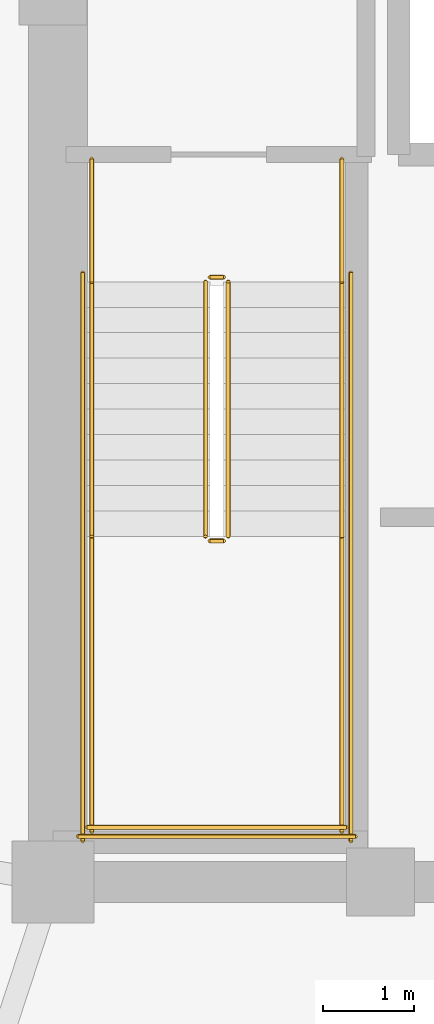
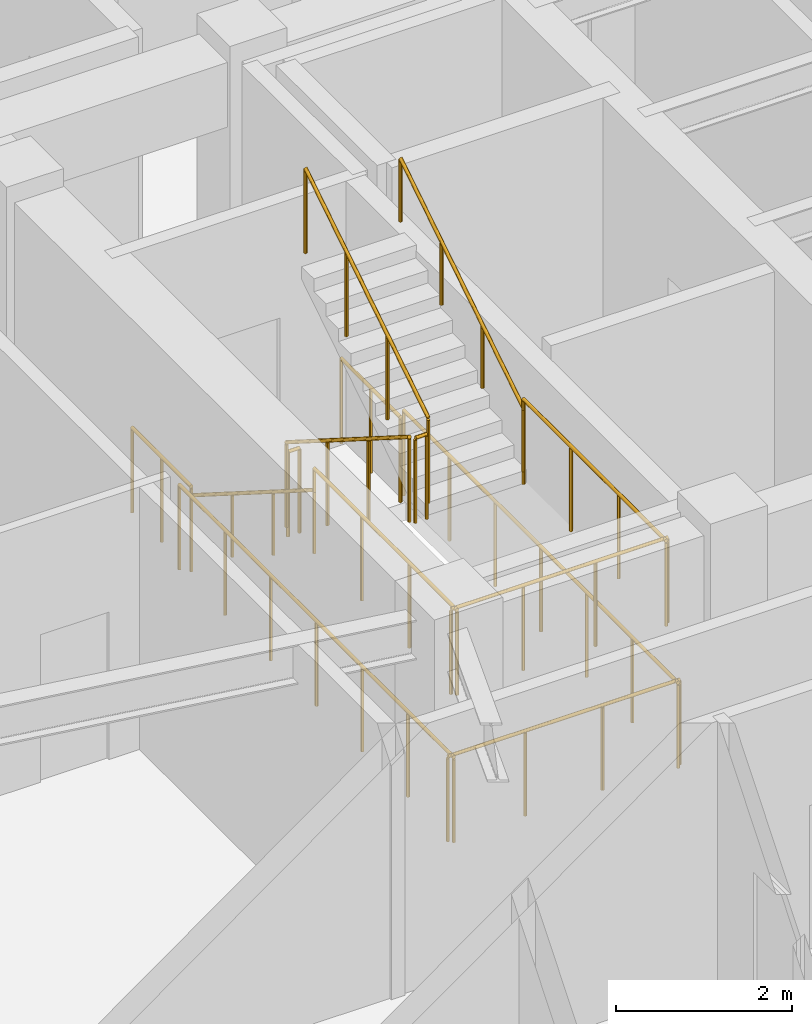
# One storey, part 10 of 11: 14 railings.
"""IFC4 building model written with IfcOpenShell, lengths in metres."""

from ifc_helpers import new_model, si_unit, direction, frame, origin, origin_2d, place, context, subcontext, project, spatial, circle, extrude, material, type_object, element, save


model = new_model("IFC4")

# Units and contexts
model_context = context("Model", 3, precision=1e-05, world=origin(), true_north=direction((0.0, 1.0)))
body_context = subcontext(model_context, "Body", "Model", "MODEL_VIEW")
ifc_project = project(units=[si_unit("LENGTHUNIT", "METRE"), si_unit("AREAUNIT", "SQUARE_METRE"), si_unit("VOLUMEUNIT", "CUBIC_METRE"), si_unit("PLANEANGLEUNIT", "RADIAN"), si_unit("MASSUNIT", "GRAM", prefix="KILO")], contexts=[model_context])

# Site, building, storey
site_placement = place(None, origin())
site = spatial("IfcSite", under=ifc_project, at=site_placement, CompositionType="ELEMENT")
building_placement = place(site_placement, origin())
building = spatial("IfcBuilding", under=site, at=building_placement, Name="Voryun Gate Residences", CompositionType="ELEMENT")
storey_placement = place(building_placement, frame((0.0, 0.0, 215.800048828125)))
storey = spatial("IfcBuildingStorey", under=building, at=storey_placement, Name="L53", CompositionType="ELEMENT", Elevation=215.800048828125)

# Railings
ifc_material_1 = material(Name="Painted steel", Category="steel")
railing_type_1 = type_object("IfcRailingType", Name="RAIL_STAIR_GUARD_1200", PredefinedType="GUARDRAIL", material=ifc_material_1)
railing_1_placement = place(storey_placement, frame((-17.52490234375, -0.800048828125, 0.17724609375)))
element("IfcRailing", 1, at=railing_1_placement, inside=storey, type_object=railing_type_1, Name="L53 ST-W1 stair guard 1", PredefinedType="GUARDRAIL", context=body_context, shape_type="SweptSolid", body=[
    extrude(circle(Radius=0.02392578125, at=origin_2d()), frame((0.0, 0.0, 1.17578125), z_axis=(0.0, -0.844908973607, 0.534910110503), x_axis=(1.0, 0.0, 0.0)), (0.0, 0.0, 1.0), 3.31396484375),
    extrude(circle(Radius=0.02099609375, at=origin_2d()), origin(), (0.0, 0.0, 1.0), 1.15185546875),
    extrude(circle(Radius=0.02099609375, at=origin_2d()), frame((0.0, -0.933349609375, 0.5908203125)), (0.0, 0.0, 1.0), 1.15185546875),
    extrude(circle(Radius=0.02099609375, at=origin_2d()), frame((0.0, -1.86669921875, 1.181884765625)), (0.0, 0.0, 1.0), 1.15185546875),
    extrude(circle(Radius=0.02099609375, at=origin_2d()), frame((0.0, -2.800048828125, 1.772705078125)), (0.0, 0.0, 1.0), 1.15185546875),
])
railing_2_placement = place(storey_placement, frame((-17.47509765625, -3.64990234375, 1.949951171875)))
element("IfcRailing", 2, at=railing_2_placement, inside=storey, type_object=railing_type_1, Name="L53 ST-W1 stair guard 2", PredefinedType="GUARDRAIL", context=body_context, shape_type="SweptSolid", body=[
    extrude(circle(Radius=0.02392578125, at=origin_2d()), frame((0.0, 0.0, 1.17578125), z_axis=(1.0, 0.0, 0.0), x_axis=(0.0, 1.0, 0.0)), (0.0, 0.0, 1.0), 0.150146484375),
    extrude(circle(Radius=0.02099609375, at=origin_2d()), origin(), (0.0, 0.0, 1.0), 1.15185546875),
    extrude(circle(Radius=0.02099609375, at=origin_2d()), frame((0.150146484375, 0.0, 0.0)), (0.0, 0.0, 1.0), 1.15185546875),
])
for number, where, name in (
    (3, (-18.77490234375, -3.60009765625, 1.949951171875), "L53 ST-W1 stair guard 3"),
    (4, (-16.02490234375, -3.60009765625, 1.949951171875), "L53 ST-W1 stair guard 4"),
):
    element("IfcRailing", number, at=place(storey_placement, frame(where)), inside=storey, type_object=railing_type_1, Name=name, PredefinedType="GUARDRAIL", context=body_context, shape_type="SweptSolid", body=[
        extrude(circle(Radius=0.02392578125, at=origin_2d()), frame((0.0, 0.0, 1.17578125), z_axis=(0.0, -1.0, 0.0), x_axis=(1.0, 0.0, 0.0)), (0.0, 0.0, 1.0), 3.25),
        extrude(circle(Radius=0.02099609375, at=origin_2d()), origin(), (0.0, 0.0, 1.0), 1.15185546875),
        extrude(circle(Radius=0.02099609375, at=origin_2d()), frame((0.0, -1.083251953125, 0.0)), (0.0, 0.0, 1.0), 1.15185546875),
        extrude(circle(Radius=0.02099609375, at=origin_2d()), frame((0.0, -2.166748046875, 0.0)), (0.0, 0.0, 1.0), 1.15185546875),
        extrude(circle(Radius=0.02099609375, at=origin_2d()), frame((0.0, -3.25, 0.0)), (0.0, 0.0, 1.0), 1.15185546875),
    ])
railing_3_placement = place(storey_placement, frame((-18.824951171875, -6.800048828125, 1.949951171875)))
element("IfcRailing", 5, at=railing_3_placement, inside=storey, type_object=railing_type_1, Name="L53 ST-W1 stair guard 5", PredefinedType="GUARDRAIL", context=body_context, shape_type="SweptSolid", body=[
    extrude(circle(Radius=0.02392578125, at=origin_2d()), frame((0.0, 0.0, 1.17578125), z_axis=(1.0, 0.0, 0.0), x_axis=(0.0, 1.0, 0.0)), (0.0, 0.0, 1.0), 2.849853515625),
    extrude(circle(Radius=0.02099609375, at=origin_2d()), origin(), (0.0, 0.0, 1.0), 1.15185546875),
    extrude(circle(Radius=0.02099609375, at=origin_2d()), frame((0.949951171875, 0.0, 0.0)), (0.0, 0.0, 1.0), 1.15185546875),
    extrude(circle(Radius=0.02099609375, at=origin_2d()), frame((1.89990234375, 0.0, 0.0)), (0.0, 0.0, 1.0), 1.15185546875),
    extrude(circle(Radius=0.02099609375, at=origin_2d()), frame((2.849853515625, 0.0, 0.0)), (0.0, 0.0, 1.0), 1.15185546875),
])
railing_4_placement = place(storey_placement, frame((-17.27490234375, -3.60009765625, 2.127197265625)))
element("IfcRailing", 6, at=railing_4_placement, inside=storey, type_object=railing_type_1, Name="L53 ST-W1 stair guard 6", PredefinedType="GUARDRAIL", context=body_context, shape_type="SweptSolid", body=[
    extrude(circle(Radius=0.02392578125, at=origin_2d()), frame((0.0, 0.0, 1.17578125), z_axis=(0.0, 0.844908973607, 0.534910110503), x_axis=(-1.0, 0.0, 0.0)), (0.0, 0.0, 1.0), 3.31396484375),
    extrude(circle(Radius=0.02099609375, at=origin_2d()), origin(), (0.0, 0.0, 1.0), 1.15185546875),
    extrude(circle(Radius=0.02099609375, at=origin_2d()), frame((0.0, 0.933349609375, 0.5908203125)), (0.0, 0.0, 1.0), 1.15185546875),
    extrude(circle(Radius=0.02099609375, at=origin_2d()), frame((0.0, 1.86669921875, 1.181884765625)), (0.0, 0.0, 1.0), 1.15185546875),
    extrude(circle(Radius=0.02099609375, at=origin_2d()), frame((0.0, 2.800048828125, 1.772705078125)), (0.0, 0.0, 1.0), 1.15185546875),
])
railing_5_placement = place(storey_placement, frame((-17.47509765625, -0.75, 0.0)))
element("IfcRailing", 7, at=railing_5_placement, inside=storey, type_object=railing_type_1, Name="L53 ST-W1 stair guard 7", PredefinedType="GUARDRAIL", context=body_context, shape_type="SweptSolid", body=[
    extrude(circle(Radius=0.02392578125, at=origin_2d()), frame((0.0, 0.0, 1.17578125), z_axis=(1.0, 0.0, 0.0), x_axis=(0.0, 1.0, 0.0)), (0.0, 0.0, 1.0), 0.150146484375),
    extrude(circle(Radius=0.02099609375, at=origin_2d()), origin(), (0.0, 0.0, 1.0), 1.15185546875),
    extrude(circle(Radius=0.02099609375, at=origin_2d()), frame((0.150146484375, 0.0, 0.0)), (0.0, 0.0, 1.0), 1.15185546875),
])
for number, where, name in (
    (8, (-18.77490234375, 0.550048828125, 0.0), "L53 ST-W1 stair guard 8"),
    (9, (-16.02490234375, 0.550048828125, 0.0), "L53 ST-W1 stair guard 9"),
):
    element("IfcRailing", number, at=place(storey_placement, frame(where)), inside=storey, type_object=railing_type_1, Name=name, PredefinedType="GUARDRAIL", context=body_context, shape_type="SweptSolid", body=[
        extrude(circle(Radius=0.02392578125, at=origin_2d()), frame((0.0, 0.0, 1.17578125), z_axis=(0.0, -1.0, 0.0), x_axis=(1.0, 0.0, 0.0)), (0.0, 0.0, 1.0), 1.35009765625),
        extrude(circle(Radius=0.02099609375, at=origin_2d()), origin(), (0.0, 0.0, 1.0), 1.15185546875),
        extrude(circle(Radius=0.02099609375, at=origin_2d()), frame((0.0, -0.675048828125, 0.0)), (0.0, 0.0, 1.0), 1.15185546875),
        extrude(circle(Radius=0.02099609375, at=origin_2d()), frame((0.0, -1.35009765625, 0.0)), (0.0, 0.0, 1.0), 1.15185546875),
    ])
for number, where, name in (
    (10, (-18.875, -0.699951171875, 0.0), "L53 ST-W1 stair guard 10"),
    (11, (-15.925048828125, -0.699951171875, 0.0), "L53 ST-W1 stair guard 11"),
):
    element("IfcRailing", number, at=place(storey_placement, frame(where)), inside=storey, type_object=railing_type_1, Name=name, PredefinedType="GUARDRAIL", context=body_context, shape_type="SweptSolid", body=[
        extrude(circle(Radius=0.02392578125, at=origin_2d()), frame((0.0, 0.0, 1.17578125), z_axis=(0.0, -1.0, 0.0), x_axis=(1.0, 0.0, 0.0)), (0.0, 0.0, 1.0), 6.25),
        extrude(circle(Radius=0.02099609375, at=origin_2d()), origin(), (0.0, 0.0, 1.0), 1.15185546875),
        extrude(circle(Radius=0.02099609375, at=origin_2d()), frame((0.0, -1.041748046875, 0.0)), (0.0, 0.0, 1.0), 1.15185546875),
        extrude(circle(Radius=0.02099609375, at=origin_2d()), frame((0.0, -2.083251953125, 0.0)), (0.0, 0.0, 1.0), 1.15185546875),
        extrude(circle(Radius=0.02099609375, at=origin_2d()), frame((0.0, -3.125, 0.0)), (0.0, 0.0, 1.0), 1.15185546875),
        extrude(circle(Radius=0.02099609375, at=origin_2d()), frame((0.0, -4.166748046875, 0.0)), (0.0, 0.0, 1.0), 1.15185546875),
        extrude(circle(Radius=0.02099609375, at=origin_2d()), frame((0.0, -5.208251953125, 0.0)), (0.0, 0.0, 1.0), 1.15185546875),
        extrude(circle(Radius=0.02099609375, at=origin_2d()), frame((0.0, -6.25, 0.0)), (0.0, 0.0, 1.0), 1.15185546875),
    ])
railing_6_placement = place(storey_placement, frame((-18.925048828125, -6.89990234375, 0.0)))
element("IfcRailing", 12, at=railing_6_placement, inside=storey, type_object=railing_type_1, Name="L53 ST-W1 stair guard 12", PredefinedType="GUARDRAIL", context=body_context, shape_type="SweptSolid", body=[
    extrude(circle(Radius=0.02392578125, at=origin_2d()), frame((0.0, 0.0, 1.17578125), z_axis=(1.0, 0.0, 0.0), x_axis=(0.0, 1.0, 0.0)), (0.0, 0.0, 1.0), 3.050048828125),
    extrude(circle(Radius=0.02099609375, at=origin_2d()), origin(), (0.0, 0.0, 1.0), 1.15185546875),
    extrude(circle(Radius=0.02099609375, at=origin_2d()), frame((1.0166015625, 0.0, 0.0)), (0.0, 0.0, 1.0), 1.15185546875),
    extrude(circle(Radius=0.02099609375, at=origin_2d()), frame((2.033447265625, 0.0, 0.0)), (0.0, 0.0, 1.0), 1.15185546875),
    extrude(circle(Radius=0.02099609375, at=origin_2d()), frame((3.050048828125, 0.0, 0.0)), (0.0, 0.0, 1.0), 1.15185546875),
])
ifc_material_2 = material(Name="Painted steel", Category="steel")
railing_type_2 = type_object("IfcRailingType", Name="RAIL_STAIR_HANDRAIL_900", PredefinedType="HANDRAIL", material=ifc_material_2)
railing_7_placement = place(storey_placement, frame((-18.77490234375, -0.800048828125, 0.17724609375)))
element("IfcRailing", 13, at=railing_7_placement, inside=storey, type_object=railing_type_2, Name="L53 ST-W1 stair handrail 1", PredefinedType="HANDRAIL", context=body_context, shape_type="SweptSolid", body=[
    extrude(circle(Radius=0.02392578125, at=origin_2d()), frame((0.0, 0.0, 0.8759765625), z_axis=(0.0, -0.844908973607, 0.534910110503), x_axis=(1.0, 0.0, 0.0)), (0.0, 0.0, 1.0), 3.31396484375),
    extrude(circle(Radius=0.02099609375, at=origin_2d()), origin(), (0.0, 0.0, 1.0), 0.851806640625),
    extrude(circle(Radius=0.02099609375, at=origin_2d()), frame((0.0, -0.933349609375, 0.5908203125)), (0.0, 0.0, 1.0), 0.851806640625),
    extrude(circle(Radius=0.02099609375, at=origin_2d()), frame((0.0, -1.86669921875, 1.181884765625)), (0.0, 0.0, 1.0), 0.851806640625),
    extrude(circle(Radius=0.02099609375, at=origin_2d()), frame((0.0, -2.800048828125, 1.772705078125)), (0.0, 0.0, 1.0), 0.851806640625),
])
railing_8_placement = place(storey_placement, frame((-16.02490234375, -3.60009765625, 2.127197265625)))
element("IfcRailing", 14, at=railing_8_placement, inside=storey, type_object=railing_type_2, Name="L53 ST-W1 stair handrail 2", PredefinedType="HANDRAIL", context=body_context, shape_type="SweptSolid", body=[
    extrude(circle(Radius=0.02392578125, at=origin_2d()), frame((0.0, 0.0, 0.8759765625), z_axis=(0.0, 0.844908973607, 0.534910110503), x_axis=(-1.0, 0.0, 0.0)), (0.0, 0.0, 1.0), 3.31396484375),
    extrude(circle(Radius=0.02099609375, at=origin_2d()), origin(), (0.0, 0.0, 1.0), 0.851806640625),
    extrude(circle(Radius=0.02099609375, at=origin_2d()), frame((0.0, 0.933349609375, 0.5908203125)), (0.0, 0.0, 1.0), 0.851806640625),
    extrude(circle(Radius=0.02099609375, at=origin_2d()), frame((0.0, 1.86669921875, 1.181884765625)), (0.0, 0.0, 1.0), 0.851806640625),
    extrude(circle(Radius=0.02099609375, at=origin_2d()), frame((0.0, 2.800048828125, 1.772705078125)), (0.0, 0.0, 1.0), 0.851806640625),
])

save(model, "model.ifc")
